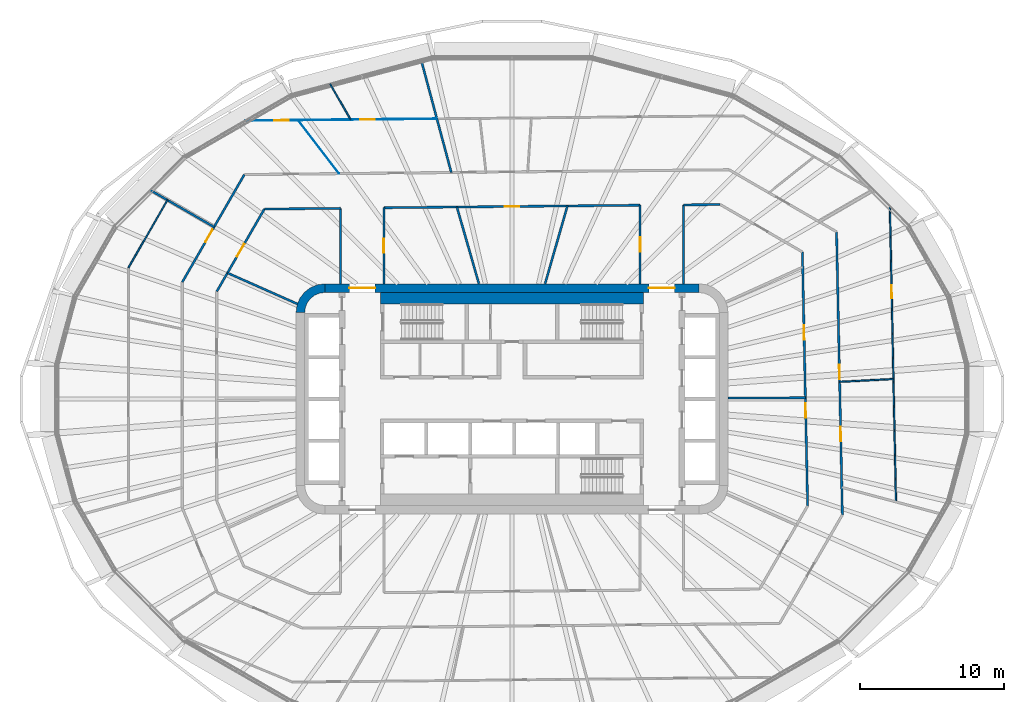
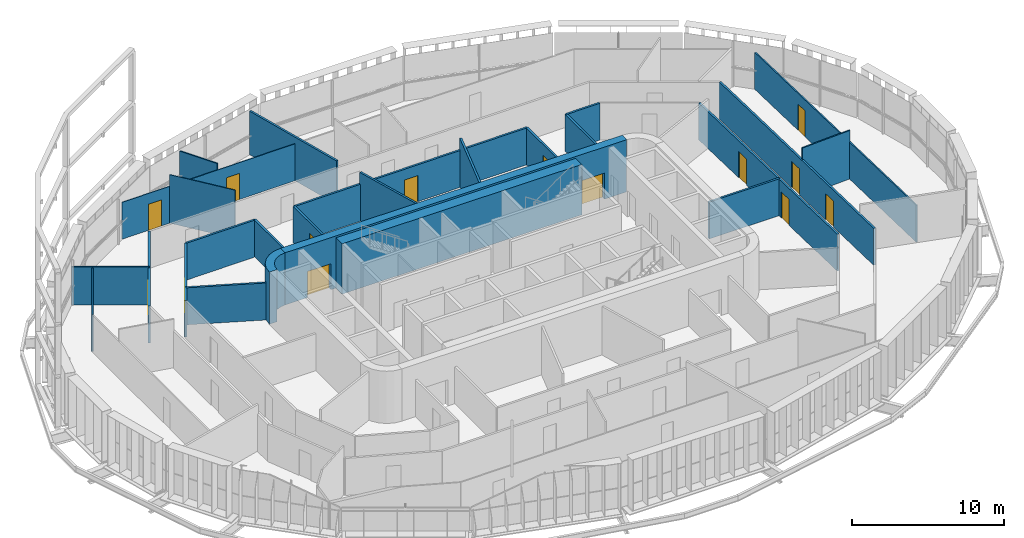
# One storey, part 17 of 26: 26 walls, 14 doors, 14 openings.
"""IFC4 building model written with IfcOpenShell, lengths in metres."""

from ifc_helpers import new_model, si_unit, direction, frame, frame_2d, origin, place, context, subcontext, project, spatial, polyline, rectangle, outline, extrude, material, layer, layer_set, type_object, element, fill, save


model = new_model("IFC4")

# Units and contexts
model_context = context("Model", 3, precision=1e-05, world=origin(), true_north=direction((0.0, 1.0)))
body_context = subcontext(model_context, "Body", "Model", "MODEL_VIEW")
ifc_project = project(units=[si_unit("LENGTHUNIT", "METRE"), si_unit("AREAUNIT", "SQUARE_METRE"), si_unit("VOLUMEUNIT", "CUBIC_METRE"), si_unit("PLANEANGLEUNIT", "RADIAN"), si_unit("MASSUNIT", "GRAM", prefix="KILO")], contexts=[model_context])

# Site, building, storey
site_placement = place(None, origin())
site = spatial("IfcSite", under=ifc_project, at=site_placement, CompositionType="ELEMENT")
building_placement = place(site_placement, origin())
building = spatial("IfcBuilding", under=site, at=building_placement, Name="Sahrelin Media Tower", CompositionType="ELEMENT")
storey_placement = place(building_placement, frame((0.0, 0.0, 84.0)))
storey = spatial("IfcBuildingStorey", under=building, at=storey_placement, Name="L15", CompositionType="ELEMENT", Elevation=84.0)

# Wall, openings, doors
ifc_material_1 = material(Name="Concrete C60/75", Category="concrete")
ifc_layer_1 = layer(ifc_material_1, 0.60009765625)
ifc_layer_set_1 = layer_set([ifc_layer_1], Name="Core wall 600")
wall_type_1 = type_object("IfcWallType", Name="Core wall 600", PredefinedType="SHEAR", material=ifc_layer_set_1)
wall_1_placement = place(storey_placement, frame((-13.0, 7.699951171875, 0.0), z_axis=(0.0, 0.0, 1.0), x_axis=(1.0, 0.0, 0.0)))
wall_1 = element("IfcWall", 1, at=wall_1_placement, inside=storey, type_object=wall_type_1, Name="Core wall N L15", PredefinedType="SHEAR", context=body_context, shape_type="SweptSolid", body=[
    extrude(rectangle(XDim=26.0, YDim=0.60009765625, at=frame_2d((13.0, 0.0))), origin(), (0.0, 0.0, 1.0), 4.199951171875),
])
opening_1_placement = place(wall_1_placement, frame((1.699951171875, 0.0, 0.0)))
opening_1 = element("IfcOpeningElement", 2, at=opening_1_placement, cuts=wall_1, Name="Opening L15-D17", PredefinedType="OPENING", context=body_context, shape_type="SweptSolid", body=[
    extrude(rectangle(XDim=1.800048828125, YDim=2.10009765625, at=frame_2d((0.89990234375, 1.050048828125))), frame((0.0, 0.300048828125, 0.0), z_axis=(0.0, -1.0, 0.0), x_axis=(1.0, 0.0, 0.0)), (0.0, 0.0, 1.0), 0.60009765625),
])
opening_2_placement = place(wall_1_placement, frame((22.5, 0.0, 0.0)))
opening_2 = element("IfcOpeningElement", 3, at=opening_2_placement, cuts=wall_1, Name="Opening L15-D18", PredefinedType="OPENING", context=body_context, shape_type="SweptSolid", body=[
    extrude(rectangle(XDim=1.800048828125, YDim=2.10009765625, at=frame_2d((0.89990234375, 1.050048828125))), frame((0.0, 0.300048828125, 0.0), z_axis=(0.0, -1.0, 0.0), x_axis=(1.0, 0.0, 0.0)), (0.0, 0.0, 1.0), 0.60009765625),
])
ifc_material_2 = material(Name="Steel fire door leaf", Category="steel")
door_type_1 = type_object("IfcDoorType", Name="Lobby double door 1800 x 2100 EI 60", OperationType="DOUBLE_DOOR_SINGLE_SWING", PredefinedType="DOOR", material=ifc_material_2)
door_1_placement = place(opening_1_placement, origin())
door_1 = element("IfcDoor", 4, at=door_1_placement, inside=storey, type_object=door_type_1, Name="Lobby door", OperationType="DOUBLE_DOOR_SINGLE_SWING", OverallHeight=2.10009765625, OverallWidth=1.800048828125, PredefinedType="DOOR", context=body_context, shape_type="SweptSolid", body=[
    extrude(rectangle(XDim=1.800048828125, YDim=2.10009765625, at=frame_2d((0.89990234375, 1.050048828125))), frame((0.0, 0.02490234375, 0.0), z_axis=(0.0, -1.0, 0.0), x_axis=(1.0, 0.0, 0.0)), (0.0, 0.0, 1.0), 0.050048828125),
])
fill(opening_1, door_1)
door_2_placement = place(opening_2_placement, origin())
door_2 = element("IfcDoor", 5, at=door_2_placement, inside=storey, type_object=door_type_1, Name="Lobby door", OperationType="DOUBLE_DOOR_SINGLE_SWING", OverallHeight=2.10009765625, OverallWidth=1.800048828125, PredefinedType="DOOR", context=body_context, shape_type="SweptSolid", body=[
    extrude(rectangle(XDim=1.800048828125, YDim=2.10009765625, at=frame_2d((0.89990234375, 1.050048828125))), frame((0.0, 0.02490234375, 0.0), z_axis=(0.0, -1.0, 0.0), x_axis=(1.0, 0.0, 0.0)), (0.0, 0.0, 1.0), 0.050048828125),
])
fill(opening_2, door_2)

# Wall
wall_2_placement = place(storey_placement, origin())
element("IfcWall", 6, at=wall_2_placement, inside=storey, type_object=wall_type_1, Name="Core wall corner NW L15", PredefinedType="SHEAR", context=body_context, shape_type="SweptSolid", body=[
    extrude(outline(polyline([(-15.0, 6.0), (-14.394775390625, 6.0), (-14.347412109375, 6.361083984375), (-14.2080078125, 6.697509765625), (-13.986328125, 6.986328125), (-13.697509765625, 7.2080078125), (-13.361083984375, 7.347412109375), (-13.0, 7.394775390625), (-13.0, 8.0), (-13.517578125, 7.931884765625), (-14.0, 7.732177734375), (-14.414306640625, 7.414306640625), (-14.732177734375, 7.0), (-14.931884765625, 6.517578125), (-15.0, 6.0)])), origin(), (0.0, 0.0, 1.0), 4.199951171875),
])

# Wall, openings, doors
ifc_material_3 = material(Name="Fire-rated gypsum board partition")
ifc_layer_2 = layer(ifc_material_3, 0.14990234375)
ifc_layer_set_2 = layer_set([ifc_layer_2], Name="Fire-rated partition 150")
wall_type_2 = type_object("IfcWallType", Name="Fire-rated partition 150", PredefinedType="PARTITIONING", material=ifc_layer_set_2)
wall_3_placement = place(storey_placement, frame((20.1669921875, 10.212890625, 0.0), z_axis=(0.0, 0.0, 1.0), x_axis=(0.020610894613, -0.999787572949, 0.0)))
wall_3 = element("IfcWall", 7, at=wall_3_placement, inside=storey, type_object=wall_type_2, Name="Wall", PredefinedType="PARTITIONING", context=body_context, shape_type="SweptSolid", body=[
    extrude(rectangle(XDim=17.637451171875, YDim=0.14990234375, at=frame_2d((8.81884765625, 0.0))), origin(), (0.0, 0.0, 1.0), 2.96826171875),
])
opening_3_placement = place(wall_3_placement, frame((10.5078125, 0.0, 0.0)))
opening_3 = element("IfcOpeningElement", 8, at=opening_3_placement, cuts=wall_3, Name="Opening L15-D25", PredefinedType="OPENING", context=body_context, shape_type="SweptSolid", body=[
    extrude(rectangle(XDim=1.0, YDim=2.10009765625, at=frame_2d((0.5, 1.050048828125))), frame((0.0, 0.074951171875, 0.0), z_axis=(0.0, -1.0, 0.0), x_axis=(1.0, 0.0, 0.0)), (0.0, 0.0, 1.0), 0.14990234375),
])
opening_4_placement = place(wall_3_placement, frame((5.089599609375, 0.0, 0.0)))
opening_4 = element("IfcOpeningElement", 9, at=opening_4_placement, cuts=wall_3, Name="Opening L15-D26", PredefinedType="OPENING", context=body_context, shape_type="SweptSolid", body=[
    extrude(rectangle(XDim=1.0, YDim=2.10009765625, at=frame_2d((0.5, 1.050048828125))), frame((0.0, 0.074951171875, 0.0), z_axis=(0.0, -1.0, 0.0), x_axis=(1.0, 0.0, 0.0)), (0.0, 0.0, 1.0), 0.14990234375),
])
door_type_2 = type_object("IfcDoorType", Name="Fire door 1000 x 2100 EI 60", OperationType="NOTDEFINED", PredefinedType="DOOR", material=ifc_material_2)
door_3_placement = place(opening_3_placement, origin())
door_3 = element("IfcDoor", 10, at=door_3_placement, inside=storey, type_object=door_type_2, Name="Fire door", OperationType="SINGLE_SWING_LEFT", OverallHeight=2.10009765625, OverallWidth=1.0, PredefinedType="DOOR", context=body_context, shape_type="SweptSolid", body=[
    extrude(rectangle(XDim=1.0, YDim=2.10009765625, at=frame_2d((0.5, 1.050048828125))), frame((0.0, 0.02490234375, 0.0), z_axis=(0.0, -1.0, 0.0), x_axis=(1.0, 0.0, 0.0)), (0.0, 0.0, 1.0), 0.050048828125),
])
fill(opening_3, door_3)
door_4_placement = place(opening_4_placement, origin())
door_4 = element("IfcDoor", 11, at=door_4_placement, inside=storey, type_object=door_type_2, Name="Fire door", OperationType="SINGLE_SWING_RIGHT", OverallHeight=2.10009765625, OverallWidth=1.0, PredefinedType="DOOR", context=body_context, shape_type="SweptSolid", body=[
    extrude(rectangle(XDim=1.0, YDim=2.10009765625, at=frame_2d((0.5, 1.050048828125))), frame((0.0, 0.02490234375, 0.0), z_axis=(0.0, -1.0, 0.0), x_axis=(1.0, 0.0, 0.0)), (0.0, 0.0, 1.0), 0.050048828125),
])
fill(opening_4, door_4)

wall_4_placement = place(storey_placement, frame((22.5390625, 11.614990234375, 0.0), z_axis=(0.0, 0.0, 1.0), x_axis=(0.020601506683, -0.99978776644, 0.0)))
wall_4 = element("IfcWall", 12, at=wall_4_placement, inside=storey, type_object=wall_type_2, Name="Wall", PredefinedType="PARTITIONING", context=body_context, shape_type="SweptSolid", body=[
    extrude(rectangle(XDim=19.66015625, YDim=0.14990234375, at=frame_2d((9.830078125, 0.0))), origin(), (0.0, 0.0, 1.0), 2.96826171875),
])
opening_5_placement = place(wall_4_placement, frame((13.53955078125, 0.0, 0.0)))
opening_5 = element("IfcOpeningElement", 13, at=opening_5_placement, cuts=wall_4, Name="Opening L15-D38", PredefinedType="OPENING", context=body_context, shape_type="SweptSolid", body=[
    extrude(rectangle(XDim=1.0, YDim=2.10009765625, at=frame_2d((0.5, 1.050048828125))), frame((0.0, 0.074951171875, 0.0), z_axis=(0.0, -1.0, 0.0), x_axis=(1.0, 0.0, 0.0)), (0.0, 0.0, 1.0), 0.14990234375),
])
opening_6_placement = place(wall_4_placement, frame((9.22998046875, 0.0, 0.0)))
opening_6 = element("IfcOpeningElement", 14, at=opening_6_placement, cuts=wall_4, Name="Opening L15-D39", PredefinedType="OPENING", context=body_context, shape_type="SweptSolid", body=[
    extrude(rectangle(XDim=1.0, YDim=2.10009765625, at=frame_2d((0.5, 1.050048828125))), frame((0.0, 0.074951171875, 0.0), z_axis=(0.0, -1.0, 0.0), x_axis=(1.0, 0.0, 0.0)), (0.0, 0.0, 1.0), 0.14990234375),
])
door_5_placement = place(opening_5_placement, origin())
door_5 = element("IfcDoor", 15, at=door_5_placement, inside=storey, type_object=door_type_2, Name="Fire door", OperationType="SINGLE_SWING_LEFT", OverallHeight=2.10009765625, OverallWidth=1.0, PredefinedType="DOOR", context=body_context, shape_type="SweptSolid", body=[
    extrude(rectangle(XDim=1.0, YDim=2.10009765625, at=frame_2d((0.5, 1.050048828125))), frame((0.0, 0.02490234375, 0.0), z_axis=(0.0, -1.0, 0.0), x_axis=(1.0, 0.0, 0.0)), (0.0, 0.0, 1.0), 0.050048828125),
])
fill(opening_5, door_5)
door_6_placement = place(opening_6_placement, origin())
door_6 = element("IfcDoor", 16, at=door_6_placement, inside=storey, type_object=door_type_2, Name="Fire door", OperationType="SINGLE_SWING_LEFT", OverallHeight=2.10009765625, OverallWidth=1.0, PredefinedType="DOOR", context=body_context, shape_type="SweptSolid", body=[
    extrude(rectangle(XDim=1.0, YDim=2.10009765625, at=frame_2d((0.5, 1.050048828125))), frame((0.0, 0.02490234375, 0.0), z_axis=(0.0, -1.0, 0.0), x_axis=(1.0, 0.0, 0.0)), (0.0, 0.0, 1.0), 0.050048828125),
])
fill(opening_6, door_6)

# Walls
wall_5_placement = place(storey_placement, frame((-6.31494140625, 23.56591796875, 0.0), z_axis=(0.0, 0.0, 1.0), x_axis=(0.258844392232, -0.96591903419, 0.0)))
element("IfcWall", 17, at=wall_5_placement, inside=storey, type_object=wall_type_2, Name="Wall", PredefinedType="PARTITIONING", context=body_context, shape_type="SweptSolid", body=[
    extrude(rectangle(XDim=8.1123046875, YDim=0.14990234375, at=frame_2d((4.05615234375, 0.0))), origin(), (0.0, 0.0, 1.0), 3.501708984375),
])
wall_6_placement = place(storey_placement, frame((-3.826904296875, 13.3330078125, 0.0), z_axis=(0.0, 0.0, 1.0), x_axis=(0.275935525478, -0.961176147113, 0.0)))
element("IfcWall", 18, at=wall_6_placement, inside=storey, type_object=wall_type_2, Name="Wall", PredefinedType="PARTITIONING", context=body_context, shape_type="SweptSolid", body=[
    extrude(rectangle(XDim=5.54833984375, YDim=0.14990234375, at=frame_2d((2.774169921875, 0.0))), origin(), (0.0, 0.0, 1.0), 3.89990234375),
])
wall_7_placement = place(storey_placement, frame((-25.131103515625, 14.509033203125, 0.0), z_axis=(0.0, 0.0, 1.0), x_axis=(0.866037334331, -0.499979335118, 0.0)))
element("IfcWall", 19, at=wall_7_placement, inside=storey, type_object=wall_type_2, Name="Wall", PredefinedType="PARTITIONING", context=body_context, shape_type="SweptSolid", body=[
    extrude(rectangle(XDim=5.128173828125, YDim=0.14990234375, at=frame_2d((2.56396484375, 0.0))), origin(), (0.0, 0.0, 1.0), 3.044921875),
])
wall_8_placement = place(storey_placement, frame((-19.760009765625, 8.7548828125, 0.0), z_axis=(0.0, 0.0, 1.0), x_axis=(0.91424834547, -0.405154245695, 0.0)))
element("IfcWall", 20, at=wall_8_placement, inside=storey, type_object=wall_type_2, Name="Wall", PredefinedType="PARTITIONING", context=body_context, shape_type="SweptSolid", body=[
    extrude(rectangle(XDim=5.31787109375, YDim=0.14990234375, at=frame_2d((2.658935546875, 0.0))), origin(), (0.0, 0.0, 1.0), 2.97705078125),
])
wall_9_placement = place(storey_placement, frame((15.0, 0.06298828125, 0.0), z_axis=(0.0, 0.0, 1.0), x_axis=(0.999990294223, 0.004405843865, 0.0)))
element("IfcWall", 21, at=wall_9_placement, inside=storey, type_object=wall_type_2, Name="Wall", PredefinedType="PARTITIONING", context=body_context, shape_type="SweptSolid", body=[
    extrude(rectangle(XDim=5.375, YDim=0.14990234375, at=frame_2d((2.6875, 0.0))), origin(), (0.0, 0.0, 1.0), 2.96826171875),
])
wall_10_placement = place(storey_placement, frame((-17.194091796875, 13.19091796875, 0.0), z_axis=(0.0, 0.0, 1.0), x_axis=(0.999950853109, 0.009914200296, 0.0)))
element("IfcWall", 22, at=wall_10_placement, inside=storey, type_object=wall_type_2, Name="Wall", PredefinedType="PARTITIONING", context=body_context, shape_type="SweptSolid", body=[
    extrude(rectangle(XDim=5.29443359375, YDim=0.14990234375, at=frame_2d((2.647216796875, 0.0))), origin(), (0.0, 0.0, 1.0), 2.96826171875),
])

# Wall, opening, door
wall_11_placement = place(storey_placement, frame((-8.89990234375, 13.282470703125, 0.0), z_axis=(0.0, 0.0, 1.0), x_axis=(0.999950834077, 0.009916119672, 0.0)))
wall_11 = element("IfcWall", 23, at=wall_11_placement, inside=storey, type_object=wall_type_2, Name="Wall", PredefinedType="PARTITIONING", context=body_context, shape_type="SweptSolid", body=[
    extrude(rectangle(XDim=17.80078125, YDim=0.14990234375, at=frame_2d((8.900390625, 0.0))), origin(), (0.0, 0.0, 1.0), 2.96826171875),
])
opening_7_placement = place(wall_11_placement, frame((8.412109375, 0.0, 0.0)))
opening_7 = element("IfcOpeningElement", 24, at=opening_7_placement, cuts=wall_11, Name="Opening L15-D29", PredefinedType="OPENING", context=body_context, shape_type="SweptSolid", body=[
    extrude(rectangle(XDim=1.0, YDim=2.10009765625, at=frame_2d((0.5, 1.050048828125))), frame((0.0, 0.074951171875, 0.0), z_axis=(0.0, -1.0, 0.0), x_axis=(1.0, 0.0, 0.0)), (0.0, 0.0, 1.0), 0.14990234375),
])
door_7_placement = place(opening_7_placement, origin())
door_7 = element("IfcDoor", 25, at=door_7_placement, inside=storey, type_object=door_type_2, Name="Fire door", OperationType="SINGLE_SWING_LEFT", OverallHeight=2.10009765625, OverallWidth=1.0, PredefinedType="DOOR", context=body_context, shape_type="SweptSolid", body=[
    extrude(rectangle(XDim=1.0, YDim=2.10009765625, at=frame_2d((0.5, 1.050048828125))), frame((0.0, 0.02490234375, 0.0), z_axis=(0.0, -1.0, 0.0), x_axis=(1.0, 0.0, 0.0)), (0.0, 0.0, 1.0), 0.050048828125),
])
fill(opening_7, door_7)

# Wall
wall_12_placement = place(storey_placement, frame((11.89990234375, 13.47998046875, 0.0), z_axis=(0.0, 0.0, 1.0), x_axis=(0.999950357576, 0.009964054536, 0.0)))
element("IfcWall", 26, at=wall_12_placement, inside=storey, type_object=wall_type_2, Name="Wall", PredefinedType="PARTITIONING", context=body_context, shape_type="SweptSolid", body=[
    extrude(rectangle(XDim=2.54833984375, YDim=0.14990234375, at=frame_2d((1.274169921875, 0.0))), origin(), (0.0, 0.0, 1.0), 2.96826171875),
])

# Wall, opening, door
wall_13_placement = place(storey_placement, frame((-20.5, 7.47412109375, 0.0), z_axis=(0.0, 0.0, 1.0), x_axis=(0.500012665616, 0.866018091164, 0.0)))
wall_13 = element("IfcWall", 27, at=wall_13_placement, inside=storey, type_object=wall_type_2, Name="Wall", PredefinedType="PARTITIONING", context=body_context, shape_type="SweptSolid", body=[
    extrude(rectangle(XDim=6.602294921875, YDim=0.14990234375, at=frame_2d((3.30126953125, 0.0))), origin(), (0.0, 0.0, 1.0), 2.96826171875),
])
opening_8_placement = place(wall_13_placement, frame((2.802978515625, 0.0, 0.0)))
opening_8 = element("IfcOpeningElement", 28, at=opening_8_placement, cuts=wall_13, Name="Opening L15-D31", PredefinedType="OPENING", context=body_context, shape_type="SweptSolid", body=[
    extrude(rectangle(XDim=1.0, YDim=2.10009765625, at=frame_2d((0.5, 1.050048828125))), frame((0.0, 0.074951171875, 0.0), z_axis=(0.0, -1.0, 0.0), x_axis=(1.0, 0.0, 0.0)), (0.0, 0.0, 1.0), 0.14990234375),
])
door_8_placement = place(opening_8_placement, origin())
door_8 = element("IfcDoor", 29, at=door_8_placement, inside=storey, type_object=door_type_2, Name="Fire door", OperationType="SINGLE_SWING_RIGHT", OverallHeight=2.10009765625, OverallWidth=1.0, PredefinedType="DOOR", context=body_context, shape_type="SweptSolid", body=[
    extrude(rectangle(XDim=1.0, YDim=2.10009765625, at=frame_2d((0.5, 1.050048828125))), frame((0.0, 0.02490234375, 0.0), z_axis=(0.0, -1.0, 0.0), x_axis=(1.0, 0.0, 0.0)), (0.0, 0.0, 1.0), 0.050048828125),
])
fill(opening_8, door_8)

wall_14_placement = place(storey_placement, frame((-22.900146484375, 8.116943359375, 0.0), z_axis=(0.0, 0.0, 1.0), x_axis=(0.5000050195, 0.866022505755, 0.0)))
wall_14 = element("IfcWall", 30, at=wall_14_placement, inside=storey, type_object=wall_type_2, Name="Wall", PredefinedType="PARTITIONING", context=body_context, shape_type="SweptSolid", body=[
    extrude(rectangle(XDim=8.6259765625, YDim=0.14990234375, at=frame_2d((4.31298828125, 0.0))), origin(), (0.0, 0.0, 1.0), 2.96826171875),
])
opening_9_placement = place(wall_14_placement, frame((3.210693359375, 0.0, 0.0)))
opening_9 = element("IfcOpeningElement", 31, at=opening_9_placement, cuts=wall_14, Name="Opening L15-D50", PredefinedType="OPENING", context=body_context, shape_type="SweptSolid", body=[
    extrude(rectangle(XDim=1.0, YDim=2.10009765625, at=frame_2d((0.5, 1.050048828125))), frame((0.0, 0.074951171875, 0.0), z_axis=(0.0, -1.0, 0.0), x_axis=(1.0, 0.0, 0.0)), (0.0, 0.0, 1.0), 0.14990234375),
])
door_9_placement = place(opening_9_placement, origin())
door_9 = element("IfcDoor", 32, at=door_9_placement, inside=storey, type_object=door_type_2, Name="Fire door", OperationType="SINGLE_SWING_RIGHT", OverallHeight=2.10009765625, OverallWidth=1.0, PredefinedType="DOOR", context=body_context, shape_type="SweptSolid", body=[
    extrude(rectangle(XDim=1.0, YDim=2.10009765625, at=frame_2d((0.5, 1.050048828125))), frame((0.0, 0.02490234375, 0.0), z_axis=(0.0, -1.0, 0.0), x_axis=(1.0, 0.0, 0.0)), (0.0, 0.0, 1.0), 0.050048828125),
])
fill(opening_9, door_9)

# Walls
wall_15_placement = place(storey_placement, frame((2.2958984375, 8.0, 0.0), z_axis=(0.0, 0.0, 1.0), x_axis=(0.275958345059, 0.961169595749, 0.0)))
element("IfcWall", 33, at=wall_15_placement, inside=storey, type_object=wall_type_2, Name="Wall", PredefinedType="PARTITIONING", context=body_context, shape_type="SweptSolid", body=[
    extrude(rectangle(XDim=5.62841796875, YDim=0.14990234375, at=frame_2d((2.814208984375, 0.0))), origin(), (0.0, 0.0, 1.0), 3.89990234375),
])
wall_16_placement = place(storey_placement, frame((11.89990234375, 8.0, 0.0), z_axis=(0.0, 0.0, 1.0), x_axis=(0.0, 1.0, 0.0)))
element("IfcWall", 34, at=wall_16_placement, inside=storey, type_object=wall_type_2, Name="Wall", PredefinedType="PARTITIONING", context=body_context, shape_type="SweptSolid", body=[
    extrude(rectangle(XDim=5.47900390625, YDim=0.14990234375, at=frame_2d((2.739501953125, 0.0))), origin(), (0.0, 0.0, 1.0), 2.96826171875),
])

# Wall, opening, door
wall_17_placement = place(storey_placement, frame((8.89990234375, 8.0, 0.0), z_axis=(0.0, 0.0, 1.0), x_axis=(0.0, 1.0, 0.0)))
wall_17 = element("IfcWall", 35, at=wall_17_placement, inside=storey, type_object=wall_type_2, Name="Wall", PredefinedType="PARTITIONING", context=body_context, shape_type="SweptSolid", body=[
    extrude(rectangle(XDim=5.4599609375, YDim=0.14990234375, at=frame_2d((2.72998046875, 0.0))), origin(), (0.0, 0.0, 1.0), 2.96826171875),
])
opening_10_placement = place(wall_17_placement, frame((2.22998046875, 0.0, 0.0)))
opening_10 = element("IfcOpeningElement", 36, at=opening_10_placement, cuts=wall_17, Name="Opening L15-D28", PredefinedType="OPENING", context=body_context, shape_type="SweptSolid", body=[
    extrude(rectangle(XDim=1.0, YDim=2.10009765625, at=frame_2d((0.5, 1.050048828125))), frame((0.0, 0.074951171875, 0.0), z_axis=(0.0, -1.0, 0.0), x_axis=(1.0, 0.0, 0.0)), (0.0, 0.0, 1.0), 0.14990234375),
])
door_10_placement = place(opening_10_placement, origin())
door_10 = element("IfcDoor", 37, at=door_10_placement, inside=storey, type_object=door_type_2, Name="Fire door", OperationType="SINGLE_SWING_LEFT", OverallHeight=2.10009765625, OverallWidth=1.0, PredefinedType="DOOR", context=body_context, shape_type="SweptSolid", body=[
    extrude(rectangle(XDim=1.0, YDim=2.10009765625, at=frame_2d((0.5, 1.050048828125))), frame((0.0, 0.02490234375, 0.0), z_axis=(0.0, -1.0, 0.0), x_axis=(1.0, 0.0, 0.0)), (0.0, 0.0, 1.0), 0.050048828125),
])
fill(opening_10, door_10)

wall_18_placement = place(storey_placement, frame((-8.89990234375, 8.0, 0.0), z_axis=(0.0, 0.0, 1.0), x_axis=(0.0, 1.0, 0.0)))
wall_18 = element("IfcWall", 38, at=wall_18_placement, inside=storey, type_object=wall_type_2, Name="Wall", PredefinedType="PARTITIONING", context=body_context, shape_type="SweptSolid", body=[
    extrude(rectangle(XDim=5.282958984375, YDim=0.14990234375, at=frame_2d((2.6416015625, 0.0))), origin(), (0.0, 0.0, 1.0), 2.96826171875),
])
opening_11_placement = place(wall_18_placement, frame((2.1416015625, 0.0, 0.0)))
opening_11 = element("IfcOpeningElement", 39, at=opening_11_placement, cuts=wall_18, Name="Opening L15-D30", PredefinedType="OPENING", context=body_context, shape_type="SweptSolid", body=[
    extrude(rectangle(XDim=1.0, YDim=2.10009765625, at=frame_2d((0.5, 1.050048828125))), frame((0.0, 0.074951171875, 0.0), z_axis=(0.0, -1.0, 0.0), x_axis=(1.0, 0.0, 0.0)), (0.0, 0.0, 1.0), 0.14990234375),
])
door_11_placement = place(opening_11_placement, origin())
door_11 = element("IfcDoor", 40, at=door_11_placement, inside=storey, type_object=door_type_2, Name="Fire door", OperationType="SINGLE_SWING_RIGHT", OverallHeight=2.10009765625, OverallWidth=1.0, PredefinedType="DOOR", context=body_context, shape_type="SweptSolid", body=[
    extrude(rectangle(XDim=1.0, YDim=2.10009765625, at=frame_2d((0.5, 1.050048828125))), frame((0.0, 0.02490234375, 0.0), z_axis=(0.0, -1.0, 0.0), x_axis=(1.0, 0.0, 0.0)), (0.0, 0.0, 1.0), 0.050048828125),
])
fill(opening_11, door_11)

# Walls
wall_19_placement = place(storey_placement, frame((-11.89990234375, 8.0, 0.0), z_axis=(0.0, 0.0, 1.0), x_axis=(0.0, 1.0, 0.0)))
element("IfcWall", 41, at=wall_19_placement, inside=storey, type_object=wall_type_2, Name="Wall", PredefinedType="PARTITIONING", context=body_context, shape_type="SweptSolid", body=[
    extrude(rectangle(XDim=5.242919921875, YDim=0.14990234375, at=frame_2d((2.62158203125, 0.0))), origin(), (0.0, 0.0, 1.0), 2.96826171875),
])
ifc_material_4 = material(Name="Clear glass", Category="glass")
ifc_layer_3 = layer(ifc_material_4, 0.050048828125)
ifc_layer_set_3 = layer_set([ifc_layer_3], Name="Glazed partition 50")
wall_type_3 = type_object("IfcWallType", Name="Glazed partition 50", PredefinedType="PARTITIONING", material=ifc_layer_set_3)
wall_20_placement = place(storey_placement, frame((-14.85888671875, 19.364013671875, 0.0), z_axis=(0.0, 0.0, 1.0), x_axis=(0.608714147517, -0.793389618418, 0.0)))
element("IfcWall", 42, at=wall_20_placement, inside=storey, type_object=wall_type_3, Name="Wall", PredefinedType="PARTITIONING", context=body_context, shape_type="SweptSolid", body=[
    extrude(rectangle(XDim=4.678466796875, YDim=0.050048828125, at=frame_2d((2.33935546875, 0.0))), origin(), (0.0, 0.0, 1.0), 3.89990234375),
])

# Wall, openings, doors
wall_21_placement = place(storey_placement, frame((-18.511962890625, 19.327880859375, 0.0), z_axis=(0.0, 0.0, 1.0), x_axis=(0.999950851933, 0.009914318817, 0.0)))
wall_21 = element("IfcWall", 43, at=wall_21_placement, inside=storey, type_object=wall_type_3, Name="Wall", PredefinedType="PARTITIONING", context=body_context, shape_type="SweptSolid", body=[
    extrude(rectangle(XDim=13.297607421875, YDim=0.050048828125, at=frame_2d((6.64892578125, 0.0))), origin(), (0.0, 0.0, 1.0), 2.96826171875),
])
opening_12_placement = place(wall_21_placement, frame((7.975341796875, 0.0, 0.0)))
opening_12 = element("IfcOpeningElement", 44, at=opening_12_placement, cuts=wall_21, Name="Opening L15-D48", PredefinedType="OPENING", context=body_context, shape_type="SweptSolid", body=[
    extrude(rectangle(XDim=1.0, YDim=2.10009765625, at=frame_2d((0.5, 1.050048828125))), frame((0.0, 0.02490234375, 0.0), z_axis=(0.0, -1.0, 0.0), x_axis=(1.0, 0.0, 0.0)), (0.0, 0.0, 1.0), 0.050048828125),
])
opening_13_placement = place(wall_21_placement, frame((2.00341796875, 0.0, 0.0)))
opening_13 = element("IfcOpeningElement", 45, at=opening_13_placement, cuts=wall_21, Name="Opening L15-D49", PredefinedType="OPENING", context=body_context, shape_type="SweptSolid", body=[
    extrude(rectangle(XDim=1.0, YDim=2.10009765625, at=frame_2d((0.5, 1.050048828125))), frame((0.0, 0.02490234375, 0.0), z_axis=(0.0, -1.0, 0.0), x_axis=(1.0, 0.0, 0.0)), (0.0, 0.0, 1.0), 0.050048828125),
])
door_type_3 = type_object("IfcDoorType", Name="Glazed door 1000 x 2100", OperationType="NOTDEFINED", PredefinedType="DOOR", material=ifc_material_4)
door_12_placement = place(opening_12_placement, origin())
door_12 = element("IfcDoor", 46, at=door_12_placement, inside=storey, type_object=door_type_3, Name="Glazed door", OperationType="SINGLE_SWING_LEFT", OverallHeight=2.10009765625, OverallWidth=1.0, PredefinedType="DOOR", context=body_context, shape_type="SweptSolid", body=[
    extrude(rectangle(XDim=1.0, YDim=2.10009765625, at=frame_2d((0.5, 1.050048828125))), frame((0.0, 0.02490234375, 0.0), z_axis=(0.0, -1.0, 0.0), x_axis=(1.0, 0.0, 0.0)), (0.0, 0.0, 1.0), 0.049560546875),
])
fill(opening_12, door_12)
door_13_placement = place(opening_13_placement, origin())
door_13 = element("IfcDoor", 47, at=door_13_placement, inside=storey, type_object=door_type_3, Name="Glazed door", OperationType="SINGLE_SWING_LEFT", OverallHeight=2.10009765625, OverallWidth=1.0, PredefinedType="DOOR", context=body_context, shape_type="SweptSolid", body=[
    extrude(rectangle(XDim=1.0, YDim=2.10009765625, at=frame_2d((0.5, 1.050048828125))), frame((0.0, 0.02490234375, 0.0), z_axis=(0.0, -1.0, 0.0), x_axis=(1.0, 0.0, 0.0)), (0.0, 0.0, 1.0), 0.049560546875),
])
fill(opening_13, door_13)

# Wall, opening, door
ifc_material_5 = material(Name="Gypsum board partition")
ifc_layer_4 = layer(ifc_material_5, 0.10009765625)
ifc_layer_set_4 = layer_set([ifc_layer_4], Name="Partition 100")
wall_type_4 = type_object("IfcWallType", Name="Partition 100", PredefinedType="PARTITIONING", material=ifc_layer_set_4)
wall_22_placement = place(storey_placement, frame((26.242919921875, 13.39697265625, 0.0), z_axis=(0.0, 0.0, 1.0), x_axis=(0.020639766813, -0.999786977324, 0.0)))
wall_22 = element("IfcWall", 48, at=wall_22_placement, inside=storey, type_object=wall_type_4, Name="Wall", PredefinedType="PARTITIONING", context=body_context, shape_type="SweptSolid", body=[
    extrude(rectangle(XDim=20.54638671875, YDim=0.10009765625, at=frame_2d((10.273193359375, 0.0))), origin(), (0.0, 0.0, 1.0), 2.96826171875),
])
opening_14_placement = place(wall_22_placement, frame((5.506103515625, 0.0, 0.0)))
opening_14 = element("IfcOpeningElement", 49, at=opening_14_placement, cuts=wall_22, Name="Opening L15-D40", PredefinedType="OPENING", context=body_context, shape_type="SweptSolid", body=[
    extrude(rectangle(XDim=0.89990234375, YDim=2.10009765625, at=frame_2d((0.449951171875, 1.050048828125))), frame((0.0, 0.050048828125, 0.0), z_axis=(0.0, -1.0, 0.0), x_axis=(1.0, 0.0, 0.0)), (0.0, 0.0, 1.0), 0.10009765625),
])
ifc_material_6 = material(Name="Timber door leaf", Category="wood")
door_type_4 = type_object("IfcDoorType", Name="Single door 900 x 2100", OperationType="NOTDEFINED", PredefinedType="DOOR", material=ifc_material_6)
door_14_placement = place(opening_14_placement, origin())
door_14 = element("IfcDoor", 50, at=door_14_placement, inside=storey, type_object=door_type_4, Name="Single door", OperationType="SINGLE_SWING_RIGHT", OverallHeight=2.10009765625, OverallWidth=0.89990234375, PredefinedType="DOOR", context=body_context, shape_type="SweptSolid", body=[
    extrude(rectangle(XDim=0.89990234375, YDim=2.10009765625, at=frame_2d((0.449951171875, 1.050048828125))), frame((0.0, 0.02490234375, 0.0), z_axis=(0.0, -1.0, 0.0), x_axis=(1.0, 0.0, 0.0)), (0.0, 0.0, 1.0), 0.050048828125),
])
fill(opening_14, door_14)

# Walls
wall_23_placement = place(storey_placement, frame((-12.62890625, 21.8740234375, 0.0), z_axis=(0.0, 0.0, 1.0), x_axis=(0.500028324968, -0.866009049739, 0.0)))
element("IfcWall", 51, at=wall_23_placement, inside=storey, type_object=wall_type_4, Name="Wall", PredefinedType="PARTITIONING", context=body_context, shape_type="SweptSolid", body=[
    extrude(rectangle(XDim=2.855712890625, YDim=0.10009765625, at=frame_2d((1.427734375, 0.0))), origin(), (0.0, 0.0, 1.0), 3.501708984375),
])
wall_24_placement = place(storey_placement, frame((22.75390625, 1.193115234375, 0.0), z_axis=(0.0, 0.0, 1.0), x_axis=(0.998643838338, 0.05206231025, 0.0)))
element("IfcWall", 52, at=wall_24_placement, inside=storey, type_object=wall_type_4, Name="Wall", PredefinedType="PARTITIONING", context=body_context, shape_type="SweptSolid", body=[
    extrude(rectangle(XDim=3.7421875, YDim=0.10009765625, at=frame_2d((1.87109375, 0.0))), origin(), (0.0, 0.0, 1.0), 3.89990234375),
])
wall_25_placement = place(storey_placement, frame((-26.639892578125, 9.118896484375, 0.0), z_axis=(0.0, 0.0, 1.0), x_axis=(0.499955005135, 0.866051380023, 0.0)))
element("IfcWall", 53, at=wall_25_placement, inside=storey, type_object=wall_type_4, Name="Wall", PredefinedType="PARTITIONING", context=body_context, shape_type="SweptSolid", body=[
    extrude(rectangle(XDim=5.42236328125, YDim=0.10009765625, at=frame_2d((2.711181640625, 0.0))), origin(), (0.0, 0.0, 1.0), 2.97705078125),
])
ifc_layer_5 = layer(ifc_material_1, 0.800048828125)
ifc_layer_set_5 = layer_set([ifc_layer_5], Name="Stair enclosure wall 800")
wall_type_5 = type_object("IfcWallType", Name="Stair enclosure wall 800", PredefinedType="SOLIDWALL", material=ifc_layer_set_5)
wall_26_placement = place(storey_placement, frame((-9.125, 7.0, 0.0), z_axis=(0.0, 0.0, 1.0), x_axis=(1.0, 0.0, 0.0)))
element("IfcWall", 54, at=wall_26_placement, inside=storey, type_object=wall_type_5, Name="Stair enclosure wall", PredefinedType="SOLIDWALL", context=body_context, shape_type="SweptSolid", body=[
    extrude(rectangle(XDim=18.25, YDim=0.800048828125, at=frame_2d((9.125, 0.0))), origin(), (0.0, 0.0, 1.0), 4.050048828125),
])

save(model, "model.ifc")
